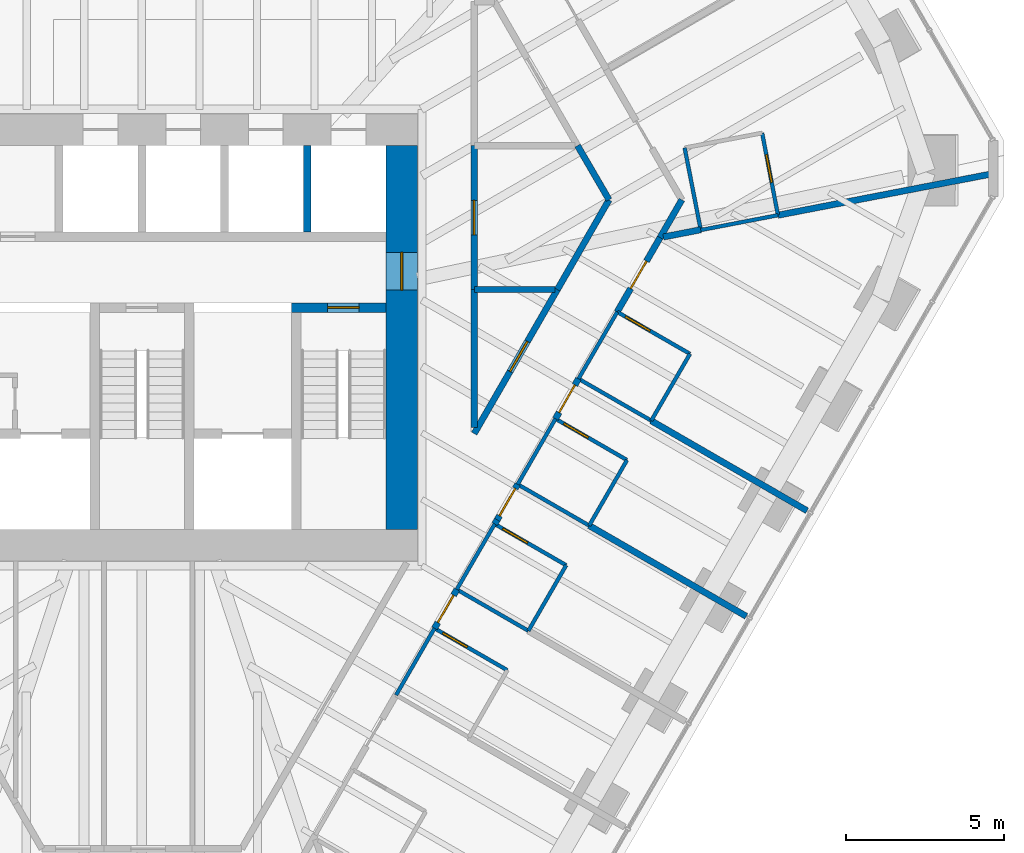
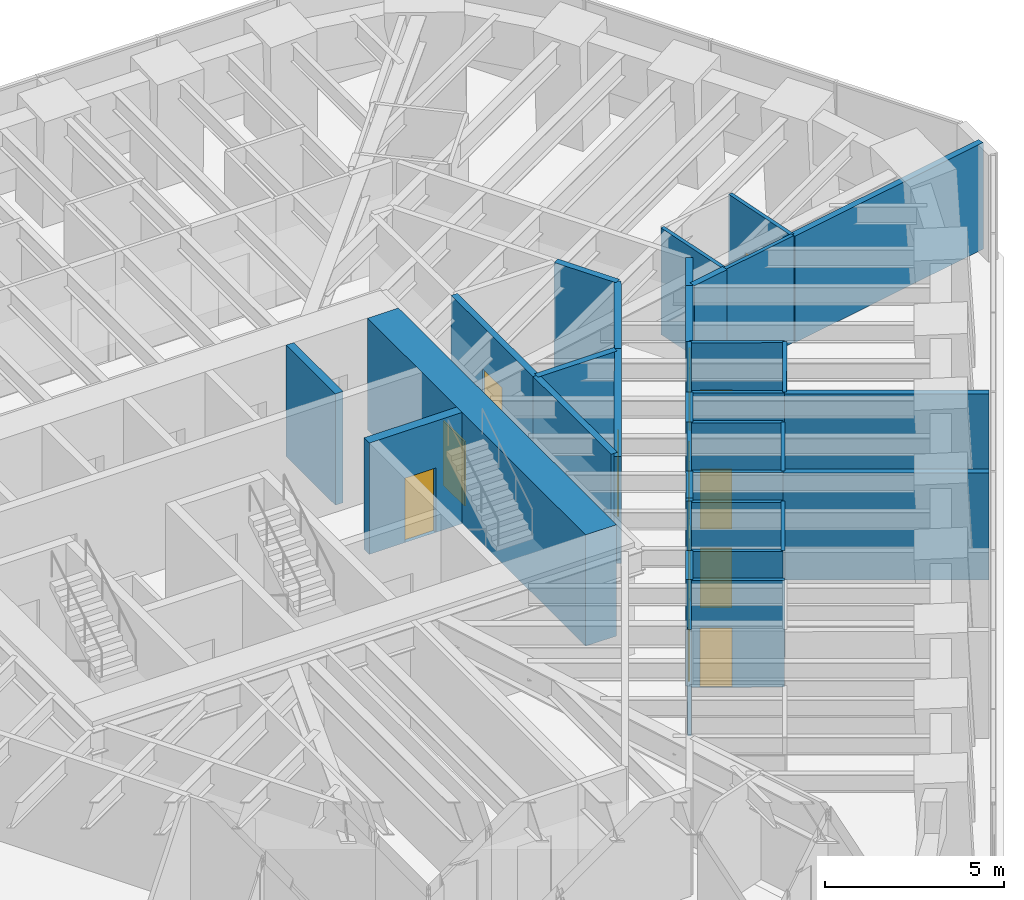
# One storey, part 13 of 17: 36 walls, 13 doors, 13 openings.
"""IFC4 building model written with IfcOpenShell, lengths in metres."""

from ifc_helpers import new_model, si_unit, direction, frame, frame_2d, origin, place, context, subcontext, project, spatial, rectangle, extrude, material, layer, layer_set, type_object, element, fill, save


model = new_model("IFC4")

# Units and contexts
model_context = context("Model", 3, precision=1e-05, world=origin(), true_north=direction((0.0, 1.0)))
body_context = subcontext(model_context, "Body", "Model", "MODEL_VIEW")
ifc_project = project(units=[si_unit("LENGTHUNIT", "METRE"), si_unit("AREAUNIT", "SQUARE_METRE"), si_unit("VOLUMEUNIT", "CUBIC_METRE"), si_unit("PLANEANGLEUNIT", "RADIAN"), si_unit("MASSUNIT", "GRAM", prefix="KILO")], contexts=[model_context])

# Site, building, storey
site_placement = place(None, origin())
site = spatial("IfcSite", under=ifc_project, at=site_placement, CompositionType="ELEMENT")
building_placement = place(site_placement, origin())
building = spatial("IfcBuilding", under=site, at=building_placement, Name="Sandreach Pilgrim Tower", CompositionType="ELEMENT")
storey_placement = place(building_placement, frame((0.0, 0.0, 232.60009765625)))
storey = spatial("IfcBuildingStorey", under=building, at=storey_placement, Name="L58", CompositionType="ELEMENT", Elevation=232.60009765625)

# Walls
ifc_material_1 = material(Name="Moisture-resistant gypsum board on steel studs", Category="steel")
ifc_layer_1 = layer(ifc_material_1, 0.1201171875)
ifc_layer_set_1 = layer_set([ifc_layer_1], Name="Bathroom partition 120")
wall_type_1 = type_object("IfcWallType", Name="Bathroom partition 120", PredefinedType="PARTITIONING", material=ifc_layer_set_1)
wall_1_placement = place(storey_placement, frame((8.070068359375, -11.35009765625, 0.0), z_axis=(0.0, 0.0, 1.0), x_axis=(0.498748634132, 0.866746675766, 0.0)))
element("IfcWall", 1, at=wall_1_placement, inside=storey, type_object=wall_type_1, Name="Bathroom partition L58-101", PredefinedType="PARTITIONING", context=body_context, shape_type="SweptSolid", body=[
    extrude(rectangle(XDim=2.446044921875, YDim=0.1201171875, at=frame_2d((1.22314453125, 0.0))), origin(), (0.0, 0.0, 1.0), 3.639892578125),
])
wall_2_placement = place(storey_placement, frame((9.996337890625, -7.998046875, 0.0), z_axis=(0.0, 0.0, 1.0), x_axis=(0.501188543314, 0.865338109672, 0.0)))
element("IfcWall", 2, at=wall_2_placement, inside=storey, type_object=wall_type_1, Name="Bathroom partition L58-108", PredefinedType="PARTITIONING", context=body_context, shape_type="SweptSolid", body=[
    extrude(rectangle(XDim=2.401611328125, YDim=0.1201171875, at=frame_2d((1.20068359375, 0.0))), origin(), (0.0, 0.0, 1.0), 3.639892578125),
])
wall_3_placement = place(storey_placement, frame((10.0, -8.0, 0.0), z_axis=(0.0, 0.0, 1.0), x_axis=(0.866010296064, -0.500026166427, 0.0)))
element("IfcWall", 3, at=wall_3_placement, inside=storey, type_object=wall_type_1, Name="Bathroom partition L58-109", PredefinedType="PARTITIONING", context=body_context, shape_type="SweptSolid", body=[
    extrude(rectangle(XDim=2.620849609375, YDim=0.1201171875, at=frame_2d((1.310546875, 0.0))), origin(), (0.0, 0.0, 1.0), 3.639892578125),
])

# Wall, opening, door
wall_4_placement = place(storey_placement, frame((11.60009765625, -10.56005859375, 0.0), z_axis=(0.0, 0.0, 1.0), x_axis=(-0.866615255992, 0.498976951453, 0.0)))
wall_4 = element("IfcWall", 4, at=wall_4_placement, inside=storey, type_object=wall_type_1, Name="Bathroom partition L58-125", PredefinedType="PARTITIONING", context=body_context, shape_type="SweptSolid", body=[
    extrude(rectangle(XDim=2.66552734375, YDim=0.1201171875, at=frame_2d((1.332763671875, 0.0))), origin(), (0.0, 0.0, 1.0), 3.639892578125),
])
opening_1_placement = place(wall_4_placement, frame((1.465576171875, 0.0, 0.0)))
opening_1 = element("IfcOpeningElement", 5, at=opening_1_placement, cuts=wall_4, Name="Opening D09-11B", PredefinedType="OPENING", context=body_context, shape_type="SweptSolid", body=[
    extrude(rectangle(XDim=0.89990234375, YDim=2.030029296875, at=frame_2d((0.449951171875, 1.01513671875))), frame((0.0, 0.06005859375, 0.0), z_axis=(0.0, -1.0, 0.0), x_axis=(1.0, 0.0, 0.0)), (0.0, 0.0, 1.0), 0.1201171875),
])
ifc_material_2 = material(Name="Timber door, steel frame", Category="steel")
door_type_1 = type_object("IfcDoorType", Name="Bathroom door", OperationType="SINGLE_SWING_LEFT", PredefinedType="DOOR", material=ifc_material_2)
door_1_placement = place(opening_1_placement, origin())
door_1 = element("IfcDoor", 6, at=door_1_placement, inside=storey, type_object=door_type_1, Name="Door 5811B", OperationType="SINGLE_SWING_RIGHT", OverallHeight=2.030029296875, OverallWidth=0.89990234375, PredefinedType="DOOR", context=body_context, shape_type="SweptSolid", body=[
    extrude(rectangle(XDim=0.89990234375, YDim=2.030029296875, at=frame_2d((0.449951171875, 1.01513671875))), frame((0.0, 0.02490234375, 0.0), z_axis=(0.0, -1.0, 0.0), x_axis=(1.0, 0.0, 0.0)), (0.0, 0.0, 1.0), 0.050048828125),
])
fill(opening_1, door_1)

# Walls
wall_5_placement = place(storey_placement, frame((11.929931640625, -4.659912109375, 0.0), z_axis=(0.0, 0.0, 1.0), x_axis=(0.499737123639, 0.866177122335, 0.0)))
element("IfcWall", 7, at=wall_5_placement, inside=storey, type_object=wall_type_1, Name="Bathroom partition L58-128", PredefinedType="PARTITIONING", context=body_context, shape_type="SweptSolid", body=[
    extrude(rectangle(XDim=2.401123046875, YDim=0.1201171875, at=frame_2d((1.20068359375, 0.0))), origin(), (0.0, 0.0, 1.0), 3.639892578125),
])
wall_6_placement = place(storey_placement, frame((11.929931640625, -4.659912109375, 0.0), z_axis=(0.0, 0.0, 1.0), x_axis=(0.865969958829, -0.500096021185, 0.0)))
element("IfcWall", 8, at=wall_6_placement, inside=storey, type_object=wall_type_1, Name="Bathroom partition L58-129", PredefinedType="PARTITIONING", context=body_context, shape_type="SweptSolid", body=[
    extrude(rectangle(XDim=2.62109375, YDim=0.1201171875, at=frame_2d((1.310546875, 0.0))), origin(), (0.0, 0.0, 1.0), 3.639892578125),
])
wall_7_placement = place(storey_placement, frame((12.27001953125, -9.31005859375, 0.0), z_axis=(0.0, 0.0, 1.0), x_axis=(0.499693115345, 0.866202511239, 0.0)))
element("IfcWall", 9, at=wall_7_placement, inside=storey, type_object=wall_type_1, Name="Bathroom partition L58-131", PredefinedType="PARTITIONING", context=body_context, shape_type="SweptSolid", body=[
    extrude(rectangle(XDim=2.4013671875, YDim=0.1201171875, at=frame_2d((1.20068359375, 0.0))), origin(), (0.0, 0.0, 1.0), 3.639892578125),
])

# Wall, opening, door
wall_8_placement = place(storey_placement, frame((13.469970703125, -7.22998046875, 0.0), z_axis=(0.0, 0.0, 1.0), x_axis=(-0.866114241029, 0.499846097802, 0.0)))
wall_8 = element("IfcWall", 10, at=wall_8_placement, inside=storey, type_object=wall_type_1, Name="Bathroom partition L58-136", PredefinedType="PARTITIONING", context=body_context, shape_type="SweptSolid", body=[
    extrude(rectangle(XDim=2.620849609375, YDim=0.1201171875, at=frame_2d((1.310546875, 0.0))), origin(), (0.0, 0.0, 1.0), 3.639892578125),
])
opening_2_placement = place(wall_8_placement, frame((1.4208984375, 0.0, 0.0)))
opening_2 = element("IfcOpeningElement", 11, at=opening_2_placement, cuts=wall_8, Name="Opening D09-10B", PredefinedType="OPENING", context=body_context, shape_type="SweptSolid", body=[
    extrude(rectangle(XDim=0.89990234375, YDim=2.030029296875, at=frame_2d((0.449951171875, 1.01513671875))), frame((0.0, 0.06005859375, 0.0), z_axis=(0.0, -1.0, 0.0), x_axis=(1.0, 0.0, 0.0)), (0.0, 0.0, 1.0), 0.1201171875),
])
door_2_placement = place(opening_2_placement, origin())
door_2 = element("IfcDoor", 12, at=door_2_placement, inside=storey, type_object=door_type_1, Name="Door 5810B", OperationType="SINGLE_SWING_RIGHT", OverallHeight=2.030029296875, OverallWidth=0.89990234375, PredefinedType="DOOR", context=body_context, shape_type="SweptSolid", body=[
    extrude(rectangle(XDim=0.89990234375, YDim=2.030029296875, at=frame_2d((0.449951171875, 1.01513671875))), frame((0.0, 0.02490234375, 0.0), z_axis=(0.0, -1.0, 0.0), x_axis=(1.0, 0.0, 0.0)), (0.0, 0.0, 1.0), 0.050048828125),
])
fill(opening_2, door_2)

# Walls
wall_9_placement = place(storey_placement, frame((13.860107421875, -1.31005859375, 0.0), z_axis=(0.0, 0.0, 1.0), x_axis=(0.501813488763, 0.864975850817, 0.0)))
element("IfcWall", 13, at=wall_9_placement, inside=storey, type_object=wall_type_1, Name="Bathroom partition L58-140", PredefinedType="PARTITIONING", context=body_context, shape_type="SweptSolid", body=[
    extrude(rectangle(XDim=2.451171875, YDim=0.1201171875, at=frame_2d((1.2255859375, 0.0))), origin(), (0.0, 0.0, 1.0), 3.639892578125),
])
wall_10_placement = place(storey_placement, frame((14.199951171875, -5.969970703125, 0.0), z_axis=(0.0, 0.0, 1.0), x_axis=(0.499737123639, 0.866177122335, 0.0)))
element("IfcWall", 14, at=wall_10_placement, inside=storey, type_object=wall_type_1, Name="Bathroom partition L58-142", PredefinedType="PARTITIONING", context=body_context, shape_type="SweptSolid", body=[
    extrude(rectangle(XDim=2.401123046875, YDim=0.1201171875, at=frame_2d((1.20068359375, 0.0))), origin(), (0.0, 0.0, 1.0), 3.639892578125),
])

# Wall, opening, door
wall_11_placement = place(storey_placement, frame((15.39990234375, -3.889892578125, 0.0), z_axis=(0.0, 0.0, 1.0), x_axis=(-0.866154567199, 0.49977621564, 0.0)))
wall_11 = element("IfcWall", 15, at=wall_11_placement, inside=storey, type_object=wall_type_1, Name="Bathroom partition L58-146", PredefinedType="PARTITIONING", context=body_context, shape_type="SweptSolid", body=[
    extrude(rectangle(XDim=2.620849609375, YDim=0.1201171875, at=frame_2d((1.310546875, 0.0))), origin(), (0.0, 0.0, 1.0), 3.639892578125),
])
opening_3_placement = place(wall_11_placement, frame((1.4208984375, 0.0, 0.0)))
opening_3 = element("IfcOpeningElement", 16, at=opening_3_placement, cuts=wall_11, Name="Opening D09-09B", PredefinedType="OPENING", context=body_context, shape_type="SweptSolid", body=[
    extrude(rectangle(XDim=0.89990234375, YDim=2.030029296875, at=frame_2d((0.449951171875, 1.01513671875))), frame((0.0, 0.06005859375, 0.0), z_axis=(0.0, -1.0, 0.0), x_axis=(1.0, 0.0, 0.0)), (0.0, 0.0, 1.0), 0.1201171875),
])
door_3_placement = place(opening_3_placement, origin())
door_3 = element("IfcDoor", 17, at=door_3_placement, inside=storey, type_object=door_type_1, Name="Door 5809B", OperationType="SINGLE_SWING_RIGHT", OverallHeight=2.030029296875, OverallWidth=0.89990234375, PredefinedType="DOOR", context=body_context, shape_type="SweptSolid", body=[
    extrude(rectangle(XDim=0.89990234375, YDim=2.030029296875, at=frame_2d((0.449951171875, 1.01513671875))), frame((0.0, 0.02490234375, 0.0), z_axis=(0.0, -1.0, 0.0), x_axis=(1.0, 0.0, 0.0)), (0.0, 0.0, 1.0), 0.050048828125),
])
fill(opening_3, door_3)

# Walls
wall_12_placement = place(storey_placement, frame((16.169921875, -2.639892578125, 0.0), z_axis=(0.0, 0.0, 1.0), x_axis=(-0.86663205897, 0.498947767172, 0.0)))
element("IfcWall", 18, at=wall_12_placement, inside=storey, type_object=wall_type_1, Name="Bathroom partition L58-148", PredefinedType="PARTITIONING", context=body_context, shape_type="SweptSolid", body=[
    extrude(rectangle(XDim=2.665283203125, YDim=0.1201171875, at=frame_2d((1.33251953125, 0.0))), origin(), (0.0, 0.0, 1.0), 3.639892578125),
])
wall_13_placement = place(storey_placement, frame((16.169921875, -2.639892578125, 0.0), z_axis=(0.0, 0.0, 1.0), x_axis=(0.501856726365, 0.86495076519, 0.0)))
element("IfcWall", 19, at=wall_13_placement, inside=storey, type_object=wall_type_1, Name="Bathroom partition L58-149", PredefinedType="PARTITIONING", context=body_context, shape_type="SweptSolid", body=[
    extrude(rectangle(XDim=2.450927734375, YDim=0.1201171875, at=frame_2d((1.2255859375, 0.0))), origin(), (0.0, 0.0, 1.0), 3.639892578125),
])
wall_14_placement = place(storey_placement, frame((17.22998046875, 6.02001953125, 0.0), z_axis=(0.0, 0.0, 1.0), x_axis=(0.192499717639, -0.981297028788, 0.0)))
element("IfcWall", 20, at=wall_14_placement, inside=storey, type_object=wall_type_1, Name="Bathroom partition L58-153", PredefinedType="PARTITIONING", context=body_context, shape_type="SweptSolid", body=[
    extrude(rectangle(XDim=2.6494140625, YDim=0.1201171875, at=frame_2d((1.32470703125, 0.0))), origin(), (0.0, 0.0, 1.0), 3.639892578125),
])

# Wall, opening, door
wall_15_placement = place(storey_placement, frame((17.39990234375, -0.52001953125, 0.0), z_axis=(0.0, 0.0, 1.0), x_axis=(-0.866592449628, 0.499016559092, 0.0)))
wall_15 = element("IfcWall", 21, at=wall_15_placement, inside=storey, type_object=wall_type_1, Name="Bathroom partition L58-154", PredefinedType="PARTITIONING", context=body_context, shape_type="SweptSolid", body=[
    extrude(rectangle(XDim=2.665283203125, YDim=0.1201171875, at=frame_2d((1.33251953125, 0.0))), origin(), (0.0, 0.0, 1.0), 3.639892578125),
])
opening_4_placement = place(wall_15_placement, frame((1.465576171875, 0.0, 0.0)))
opening_4 = element("IfcOpeningElement", 22, at=opening_4_placement, cuts=wall_15, Name="Opening D09-08B", PredefinedType="OPENING", context=body_context, shape_type="SweptSolid", body=[
    extrude(rectangle(XDim=0.89990234375, YDim=2.030029296875, at=frame_2d((0.449951171875, 1.01513671875))), frame((0.0, 0.06005859375, 0.0), z_axis=(0.0, -1.0, 0.0), x_axis=(1.0, 0.0, 0.0)), (0.0, 0.0, 1.0), 0.1201171875),
])
door_4_placement = place(opening_4_placement, origin())
door_4 = element("IfcDoor", 23, at=door_4_placement, inside=storey, type_object=door_type_1, Name="Door 5808B", OperationType="SINGLE_SWING_RIGHT", OverallHeight=2.030029296875, OverallWidth=0.89990234375, PredefinedType="DOOR", context=body_context, shape_type="SweptSolid", body=[
    extrude(rectangle(XDim=0.89990234375, YDim=2.030029296875, at=frame_2d((0.449951171875, 1.01513671875))), frame((0.0, 0.02490234375, 0.0), z_axis=(0.0, -1.0, 0.0), x_axis=(1.0, 0.0, 0.0)), (0.0, 0.0, 1.0), 0.050048828125),
])
fill(opening_4, door_4)

# Wall
wall_16_placement = place(storey_placement, frame((17.739990234375, 3.409912109375, 0.0), z_axis=(0.0, 0.0, 1.0), x_axis=(0.981991098912, 0.188927186128, 0.0)))
element("IfcWall", 24, at=wall_16_placement, inside=storey, type_object=wall_type_1, Name="Bathroom partition L58-155", PredefinedType="PARTITIONING", context=body_context, shape_type="SweptSolid", body=[
    extrude(rectangle(XDim=2.49658203125, YDim=0.1201171875, at=frame_2d((1.248291015625, 0.0))), origin(), (0.0, 0.0, 1.0), 3.639892578125),
])

# Wall, opening, door
wall_17_placement = place(storey_placement, frame((20.18994140625, 3.889892578125, 0.0), z_axis=(0.0, 0.0, 1.0), x_axis=(-0.188840553732, 0.982007762325, 0.0)))
wall_17 = element("IfcWall", 25, at=wall_17_placement, inside=storey, type_object=wall_type_1, Name="Bathroom partition L58-158", PredefinedType="PARTITIONING", context=body_context, shape_type="SweptSolid", body=[
    extrude(rectangle(XDim=2.647705078125, YDim=0.1201171875, at=frame_2d((1.32373046875, 0.0))), origin(), (0.0, 0.0, 1.0), 3.639892578125),
])
opening_5_placement = place(wall_17_placement, frame((1.050048828125, 0.0, 0.0)))
opening_5 = element("IfcOpeningElement", 26, at=opening_5_placement, cuts=wall_17, Name="Opening D09-07B", PredefinedType="OPENING", context=body_context, shape_type="SweptSolid", body=[
    extrude(rectangle(XDim=0.89990234375, YDim=2.030029296875, at=frame_2d((0.449951171875, 1.01513671875))), frame((0.0, 0.06005859375, 0.0), z_axis=(0.0, -1.0, 0.0), x_axis=(1.0, 0.0, 0.0)), (0.0, 0.0, 1.0), 0.1201171875),
])
door_5_placement = place(opening_5_placement, origin())
door_5 = element("IfcDoor", 27, at=door_5_placement, inside=storey, type_object=door_type_1, Name="Door 5807B", OperationType="SINGLE_SWING_RIGHT", OverallHeight=2.030029296875, OverallWidth=0.89990234375, PredefinedType="DOOR", context=body_context, shape_type="SweptSolid", body=[
    extrude(rectangle(XDim=0.89990234375, YDim=2.030029296875, at=frame_2d((0.449951171875, 1.01513671875))), frame((0.0, 0.02490234375, 0.0), z_axis=(0.0, -1.0, 0.0), x_axis=(1.0, 0.0, 0.0)), (0.0, 0.0, 1.0), 0.050048828125),
])
fill(opening_5, door_5)

ifc_material_3 = material(Name="Concrete 10000 psi", Category="concrete")
ifc_layer_2 = layer(ifc_material_3, 0.300048828125)
ifc_layer_set_2 = layer_set([ifc_layer_2], Name="Core inner wall 300")
wall_type_2 = type_object("IfcWallType", Name="Core inner wall 300", PredefinedType="SHEAR", material=ifc_layer_set_2)
wall_18_placement = place(storey_placement, frame((4.75, 0.949951171875, 0.0), z_axis=(0.0, 0.0, 1.0), x_axis=(1.0, 0.0, 0.0)))
wall_18 = element("IfcWall", 28, at=wall_18_placement, inside=storey, type_object=wall_type_2, Name="Core wall SN2 L58", PredefinedType="SHEAR", context=body_context, shape_type="SweptSolid", body=[
    extrude(rectangle(XDim=3.0, YDim=0.300048828125, at=frame_2d((1.5, 0.0))), origin(), (0.0, 0.0, 1.0), 3.7998046875),
])
opening_6_placement = place(wall_18_placement, frame((1.14990234375, 0.0, 0.0)))
opening_6 = element("IfcOpeningElement", 29, at=opening_6_placement, cuts=wall_18, Name="Opening D10S-ST2", PredefinedType="OPENING", context=body_context, shape_type="SweptSolid", body=[
    extrude(rectangle(XDim=1.0, YDim=2.199951171875, at=frame_2d((0.5, 1.10009765625))), frame((0.0, 0.14990234375, 0.0), z_axis=(0.0, -1.0, 0.0), x_axis=(1.0, 0.0, 0.0)), (0.0, 0.0, 1.0), 0.300048828125),
])
ifc_material_4 = material(Name="Steel door and frame", Category="steel")
door_type_2 = type_object("IfcDoorType", Name="Stair door", OperationType="SINGLE_SWING_LEFT", PredefinedType="DOOR", material=ifc_material_4)
door_6_placement = place(opening_6_placement, origin())
door_6 = element("IfcDoor", 30, at=door_6_placement, inside=storey, type_object=door_type_2, Name="Stair door ST2 L58", OperationType="SINGLE_SWING_RIGHT", OverallHeight=2.199951171875, OverallWidth=1.0, PredefinedType="DOOR", context=body_context, shape_type="SweptSolid", body=[
    extrude(rectangle(XDim=1.0, YDim=2.199951171875, at=frame_2d((0.5, 1.10009765625))), frame((0.0, 0.02490234375, 0.0), z_axis=(0.0, -1.0, 0.0), x_axis=(1.0, 0.0, 0.0)), (0.0, 0.0, 1.0), 0.050048828125),
])
fill(opening_6, door_6)

ifc_material_5 = material(Name="Concrete 10000 psi", Category="concrete")
ifc_layer_3 = layer(ifc_material_5, 1.0)
ifc_layer_set_3 = layer_set([ifc_layer_3], Name="Core wall 1000")
wall_type_3 = type_object("IfcWallType", Name="Core wall 1000", PredefinedType="SHEAR", material=ifc_layer_set_3)
wall_19_placement = place(storey_placement, frame((8.25, -6.10009765625, 0.0), z_axis=(0.0, 0.0, 1.0), x_axis=(0.0, 1.0, 0.0)))
wall_19 = element("IfcWall", 31, at=wall_19_placement, inside=storey, type_object=wall_type_3, Name="Core wall E L58", PredefinedType="SHEAR", context=body_context, shape_type="SweptSolid", body=[
    extrude(rectangle(XDim=12.2001953125, YDim=1.0, at=frame_2d((6.10009765625, 0.0))), origin(), (0.0, 0.0, 1.0), 3.7998046875),
])
opening_7_placement = place(wall_19_placement, frame((7.60009765625, 0.0, 0.0)))
opening_7 = element("IfcOpeningElement", 32, at=opening_7_placement, cuts=wall_19, Name="Opening D12F-E", PredefinedType="OPENING", context=body_context, shape_type="SweptSolid", body=[
    extrude(rectangle(XDim=1.199951171875, YDim=2.199951171875, at=frame_2d((0.60009765625, 1.10009765625))), frame((0.0, 0.5, 0.0), z_axis=(0.0, -1.0, 0.0), x_axis=(1.0, 0.0, 0.0)), (0.0, 0.0, 1.0), 1.0),
])
ifc_material_6 = material(Name="Steel door and frame", Category="steel")
door_type_3 = type_object("IfcDoorType", Name="Fire lobby door", OperationType="SINGLE_SWING_LEFT", PredefinedType="DOOR", material=ifc_material_6)
door_7_placement = place(opening_7_placement, origin())
door_7 = element("IfcDoor", 33, at=door_7_placement, inside=storey, type_object=door_type_3, Name="Fire service lobby door E L58", OperationType="SINGLE_SWING_RIGHT", OverallHeight=2.199951171875, OverallWidth=1.199951171875, PredefinedType="DOOR", context=body_context, shape_type="SweptSolid", body=[
    extrude(rectangle(XDim=1.199951171875, YDim=2.199951171875, at=frame_2d((0.60009765625, 1.10009765625))), frame((0.0, 0.02490234375, 0.0), z_axis=(0.0, -1.0, 0.0), x_axis=(1.0, 0.0, 0.0)), (0.0, 0.0, 1.0), 0.050048828125),
])
fill(opening_7, door_7)

ifc_material_7 = material(Name="Gypsum board on steel studs, two layers each side", Category="steel")
ifc_layer_4 = layer(ifc_material_7, 0.199951171875)
ifc_layer_set_4 = layer_set([ifc_layer_4], Name="Corridor wall 200")
wall_type_4 = type_object("IfcWallType", Name="Corridor wall 200", PredefinedType="PARTITIONING", material=ifc_layer_set_4)
wall_20_placement = place(storey_placement, frame((9.2900390625, -9.22998046875, 0.0), z_axis=(0.0, 0.0, 1.0), x_axis=(0.499910949922, 0.866076810767, 0.0)))
wall_20 = element("IfcWall", 34, at=wall_20_placement, inside=storey, type_object=wall_type_4, Name="Corridor wall L58-107", PredefinedType="PARTITIONING", context=body_context, shape_type="SweptSolid", body=[
    extrude(rectangle(XDim=1.420166015625, YDim=0.199951171875, at=frame_2d((0.7099609375, 0.0))), origin(), (0.0, 0.0, 1.0), 3.639892578125),
])
opening_8_placement = place(wall_20_placement, frame((0.210205078125, 0.0, 0.0)))
opening_8 = element("IfcOpeningElement", 35, at=opening_8_placement, cuts=wall_20, Name="Opening D10-11", PredefinedType="OPENING", context=body_context, shape_type="SweptSolid", body=[
    extrude(rectangle(XDim=1.0, YDim=2.1298828125, at=frame_2d((0.5, 1.06494140625))), frame((0.0, 0.10009765625, 0.0), z_axis=(0.0, -1.0, 0.0), x_axis=(1.0, 0.0, 0.0)), (0.0, 0.0, 1.0), 0.199951171875),
])
ifc_material_8 = material(Name="Steel door and frame", Category="steel")
door_type_4 = type_object("IfcDoorType", Name="Guest room entry door", OperationType="SINGLE_SWING_LEFT", PredefinedType="DOOR", material=ifc_material_8)
door_8_placement = place(opening_8_placement, origin())
door_8 = element("IfcDoor", 36, at=door_8_placement, inside=storey, type_object=door_type_4, Name="Door 5811", OperationType="SINGLE_SWING_LEFT", OverallHeight=2.1298828125, OverallWidth=1.0, PredefinedType="DOOR", context=body_context, shape_type="SweptSolid", body=[
    extrude(rectangle(XDim=1.0, YDim=2.1298828125, at=frame_2d((0.5, 1.06494140625))), frame((0.0, 0.02490234375, 0.0), z_axis=(0.0, -1.0, 0.0), x_axis=(1.0, 0.0, 0.0)), (0.0, 0.0, 1.0), 0.050048828125),
])
fill(opening_8, door_8)

# Wall
wall_21_placement = place(storey_placement, frame((10.550048828125, -2.85498046875, 0.0), z_axis=(0.0, 0.0, 1.0), x_axis=(0.0, 1.0, 0.0)))
element("IfcWall", 37, at=wall_21_placement, inside=storey, type_object=wall_type_4, Name="Corridor wall L58-112", PredefinedType="PARTITIONING", context=body_context, shape_type="SweptSolid", body=[
    extrude(rectangle(XDim=4.375, YDim=0.199951171875, at=frame_2d((2.1875, 0.0))), origin(), (0.0, 0.0, 1.0), 3.639892578125),
])

# Wall, opening, door
wall_22_placement = place(storey_placement, frame((10.550048828125, 1.52001953125, 0.0), z_axis=(0.0, 0.0, 1.0), x_axis=(0.0, 1.0, 0.0)))
wall_22 = element("IfcWall", 38, at=wall_22_placement, inside=storey, type_object=wall_type_4, Name="Corridor wall L58-113", PredefinedType="PARTITIONING", context=body_context, shape_type="SweptSolid", body=[
    extrude(rectangle(XDim=4.570068359375, YDim=0.199951171875, at=frame_2d((2.28515625, 0.0))), origin(), (0.0, 0.0, 1.0), 3.639892578125),
])
opening_9_placement = place(wall_22_placement, frame((1.735107421875, 0.0, 0.0)))
opening_9 = element("IfcOpeningElement", 39, at=opening_9_placement, cuts=wall_22, Name="Opening D11H-M06", PredefinedType="OPENING", context=body_context, shape_type="SweptSolid", body=[
    extrude(rectangle(XDim=1.10009765625, YDim=2.199951171875, at=frame_2d((0.550048828125, 1.10009765625))), frame((0.0, 0.10009765625, 0.0), z_axis=(0.0, -1.0, 0.0), x_axis=(1.0, 0.0, 0.0)), (0.0, 0.0, 1.0), 0.199951171875),
])
ifc_material_9 = material(Name="Steel door and frame", Category="steel")
door_type_5 = type_object("IfcDoorType", Name="Back of house door", OperationType="SINGLE_SWING_LEFT", PredefinedType="DOOR", material=ifc_material_9)
door_9_placement = place(opening_9_placement, origin())
door_9 = element("IfcDoor", 40, at=door_9_placement, inside=storey, type_object=door_type_5, Name="Door 58M06", OperationType="SINGLE_SWING_LEFT", OverallHeight=2.199951171875, OverallWidth=1.10009765625, PredefinedType="DOOR", context=body_context, shape_type="SweptSolid", body=[
    extrude(rectangle(XDim=1.10009765625, YDim=2.199951171875, at=frame_2d((0.550048828125, 1.10009765625))), frame((0.0, 0.02490234375, 0.0), z_axis=(0.0, -1.0, 0.0), x_axis=(1.0, 0.0, 0.0)), (0.0, 0.0, 1.0), 0.050048828125),
])
fill(opening_9, door_9)

# Wall
wall_23_placement = place(storey_placement, frame((11.199951171875, -5.919921875, 0.0), z_axis=(0.0, 0.0, 1.0), x_axis=(0.524811420021, 0.851218522717, 0.0)))
element("IfcWall", 41, at=wall_23_placement, inside=storey, type_object=wall_type_4, Name="Corridor wall L58-123", PredefinedType="PARTITIONING", context=body_context, shape_type="SweptSolid", body=[
    extrude(rectangle(XDim=0.152587890625, YDim=0.199951171875, at=frame_2d((0.076171875, 0.0))), origin(), (0.0, 0.0, 1.0), 3.639892578125),
])

# Wall, opening, door
wall_24_placement = place(storey_placement, frame((11.280029296875, -5.7900390625, 0.0), z_axis=(0.0, 0.0, 1.0), x_axis=(0.498516863914, 0.866880001149, 0.0)))
wall_24 = element("IfcWall", 42, at=wall_24_placement, inside=storey, type_object=wall_type_4, Name="Corridor wall L58-124", PredefinedType="PARTITIONING", context=body_context, shape_type="SweptSolid", body=[
    extrude(rectangle(XDim=1.3037109375, YDim=0.199951171875, at=frame_2d((0.65185546875, 0.0))), origin(), (0.0, 0.0, 1.0), 3.639892578125),
])
opening_10_placement = place(wall_24_placement, frame((0.15185546875, 0.0, 0.0)))
opening_10 = element("IfcOpeningElement", 43, at=opening_10_placement, cuts=wall_24, Name="Opening D10-10", PredefinedType="OPENING", context=body_context, shape_type="SweptSolid", body=[
    extrude(rectangle(XDim=1.0, YDim=2.1298828125, at=frame_2d((0.5, 1.06494140625))), frame((0.0, 0.10009765625, 0.0), z_axis=(0.0, -1.0, 0.0), x_axis=(1.0, 0.0, 0.0)), (0.0, 0.0, 1.0), 0.199951171875),
])
door_10_placement = place(opening_10_placement, origin())
door_10 = element("IfcDoor", 44, at=door_10_placement, inside=storey, type_object=door_type_4, Name="Door 5810", OperationType="SINGLE_SWING_LEFT", OverallHeight=2.1298828125, OverallWidth=1.0, PredefinedType="DOOR", context=body_context, shape_type="SweptSolid", body=[
    extrude(rectangle(XDim=1.0, YDim=2.1298828125, at=frame_2d((0.5, 1.06494140625))), frame((0.0, 0.02490234375, 0.0), z_axis=(0.0, -1.0, 0.0), x_axis=(1.0, 0.0, 0.0)), (0.0, 0.0, 1.0), 0.050048828125),
])
fill(opening_10, door_10)

wall_25_placement = place(storey_placement, frame((13.129638671875, -2.579833984375, 0.0), z_axis=(0.0, 0.0, 1.0), x_axis=(0.498649595136, 0.866803657855, 0.0)))
wall_25 = element("IfcWall", 45, at=wall_25_placement, inside=storey, type_object=wall_type_4, Name="Corridor wall L58-134", PredefinedType="PARTITIONING", context=body_context, shape_type="SweptSolid", body=[
    extrude(rectangle(XDim=1.46484375, YDim=0.199951171875, at=frame_2d((0.732421875, 0.0))), origin(), (0.0, 0.0, 1.0), 3.639892578125),
])
opening_11_placement = place(wall_25_placement, frame((0.232421875, 0.0, 0.0)))
opening_11 = element("IfcOpeningElement", 46, at=opening_11_placement, cuts=wall_25, Name="Opening D10-09", PredefinedType="OPENING", context=body_context, shape_type="SweptSolid", body=[
    extrude(rectangle(XDim=1.0, YDim=2.1298828125, at=frame_2d((0.5, 1.06494140625))), frame((0.0, 0.10009765625, 0.0), z_axis=(0.0, -1.0, 0.0), x_axis=(1.0, 0.0, 0.0)), (0.0, 0.0, 1.0), 0.199951171875),
])
door_11_placement = place(opening_11_placement, origin())
door_11 = element("IfcDoor", 47, at=door_11_placement, inside=storey, type_object=door_type_4, Name="Door 5809", OperationType="SINGLE_SWING_LEFT", OverallHeight=2.1298828125, OverallWidth=1.0, PredefinedType="DOOR", context=body_context, shape_type="SweptSolid", body=[
    extrude(rectangle(XDim=1.0, YDim=2.1298828125, at=frame_2d((0.5, 1.06494140625))), frame((0.0, 0.02490234375, 0.0), z_axis=(0.0, -1.0, 0.0), x_axis=(1.0, 0.0, 0.0)), (0.0, 0.0, 1.0), 0.050048828125),
])
fill(opening_11, door_11)

wall_26_placement = place(storey_placement, frame((13.18994140625, 1.52001953125, 0.0), z_axis=(0.0, 0.0, 1.0), x_axis=(-0.500193590286, -0.865913605527, 0.0)))
wall_26 = element("IfcWall", 48, at=wall_26_placement, inside=storey, type_object=wall_type_4, Name="Corridor wall L58-135", PredefinedType="PARTITIONING", context=body_context, shape_type="SweptSolid", body=[
    extrude(rectangle(XDim=5.27783203125, YDim=0.199951171875, at=frame_2d((2.638916015625, 0.0))), origin(), (0.0, 0.0, 1.0), 3.639892578125),
])
opening_12_placement = place(wall_26_placement, frame((1.89990234375, 0.0, 0.0)))
opening_12 = element("IfcOpeningElement", 49, at=opening_12_placement, cuts=wall_26, Name="Opening D11H-M04", PredefinedType="OPENING", context=body_context, shape_type="SweptSolid", body=[
    extrude(rectangle(XDim=1.10009765625, YDim=2.199951171875, at=frame_2d((0.550048828125, 1.10009765625))), frame((0.0, 0.10009765625, 0.0), z_axis=(0.0, -1.0, 0.0), x_axis=(1.0, 0.0, 0.0)), (0.0, 0.0, 1.0), 0.199951171875),
])
door_12_placement = place(opening_12_placement, origin())
door_12 = element("IfcDoor", 50, at=door_12_placement, inside=storey, type_object=door_type_5, Name="Door 58M04", OperationType="SINGLE_SWING_LEFT", OverallHeight=2.199951171875, OverallWidth=1.10009765625, PredefinedType="DOOR", context=body_context, shape_type="SweptSolid", body=[
    extrude(rectangle(XDim=1.10009765625, YDim=2.199951171875, at=frame_2d((0.550048828125, 1.10009765625))), frame((0.0, 0.02490234375, 0.0), z_axis=(0.0, -1.0, 0.0), x_axis=(1.0, 0.0, 0.0)), (0.0, 0.0, 1.0), 0.050048828125),
])
fill(opening_12, door_12)

# Walls
wall_27_placement = place(storey_placement, frame((13.830078125, 6.090087890625, 0.0), z_axis=(0.0, 0.0, 1.0), x_axis=(0.502573539539, -0.864534462792, 0.0)))
element("IfcWall", 51, at=wall_27_placement, inside=storey, type_object=wall_type_4, Name="Corridor wall L58-139", PredefinedType="PARTITIONING", context=body_context, shape_type="SweptSolid", body=[
    extrude(rectangle(XDim=1.98974609375, YDim=0.199951171875, at=frame_2d((0.994873046875, 0.0))), origin(), (0.0, 0.0, 1.0), 3.639892578125),
])
wall_28_placement = place(storey_placement, frame((14.830078125, 4.3701171875, 0.0), z_axis=(0.0, 0.0, 1.0), x_axis=(-0.498775186059, -0.866731396554, 0.0)))
element("IfcWall", 52, at=wall_28_placement, inside=storey, type_object=wall_type_4, Name="Corridor wall L58-143", PredefinedType="PARTITIONING", context=body_context, shape_type="SweptSolid", body=[
    extrude(rectangle(XDim=3.288330078125, YDim=0.199951171875, at=frame_2d((1.64404296875, 0.0))), origin(), (0.0, 0.0, 1.0), 3.639892578125),
])

# Wall, opening, door
wall_29_placement = place(storey_placement, frame((15.087646484375, 0.811279296875, 0.0), z_axis=(0.0, 0.0, 1.0), x_axis=(0.500149166734, 0.8659392652, 0.0)))
wall_29 = element("IfcWall", 53, at=wall_29_placement, inside=storey, type_object=wall_type_4, Name="Corridor wall L58-144", PredefinedType="PARTITIONING", context=body_context, shape_type="SweptSolid", body=[
    extrude(rectangle(XDim=2.723876953125, YDim=0.199951171875, at=frame_2d((1.36181640625, 0.0))), origin(), (0.0, 0.0, 1.0), 3.639892578125),
])
opening_13_placement = place(wall_29_placement, frame((0.86181640625, 0.0, 0.0)))
opening_13 = element("IfcOpeningElement", 54, at=opening_13_placement, cuts=wall_29, Name="Opening D10-08", PredefinedType="OPENING", context=body_context, shape_type="SweptSolid", body=[
    extrude(rectangle(XDim=1.0, YDim=2.1298828125, at=frame_2d((0.5, 1.06494140625))), frame((0.0, 0.10009765625, 0.0), z_axis=(0.0, -1.0, 0.0), x_axis=(1.0, 0.0, 0.0)), (0.0, 0.0, 1.0), 0.199951171875),
])
door_13_placement = place(opening_13_placement, origin())
door_13 = element("IfcDoor", 55, at=door_13_placement, inside=storey, type_object=door_type_4, Name="Door 5808", OperationType="SINGLE_SWING_LEFT", OverallHeight=2.1298828125, OverallWidth=1.0, PredefinedType="DOOR", context=body_context, shape_type="SweptSolid", body=[
    extrude(rectangle(XDim=1.0, YDim=2.1298828125, at=frame_2d((0.5, 1.06494140625))), frame((0.0, 0.02490234375, 0.0), z_axis=(0.0, -1.0, 0.0), x_axis=(1.0, 0.0, 0.0)), (0.0, 0.0, 1.0), 0.050048828125),
])
fill(opening_13, door_13)

# Walls
wall_30_placement = place(storey_placement, frame((16.449951171875, 3.169921875, 0.0), z_axis=(0.0, 0.0, 1.0), x_axis=(0.49845455473, 0.866915830325, 0.0)))
element("IfcWall", 56, at=wall_30_placement, inside=storey, type_object=wall_type_4, Name="Corridor wall L58-150", PredefinedType="PARTITIONING", context=body_context, shape_type="SweptSolid", body=[
    extrude(rectangle(XDim=1.38427734375, YDim=0.199951171875, at=frame_2d((0.692138671875, 0.0))), origin(), (0.0, 0.0, 1.0), 3.639892578125),
])
ifc_material_10 = material(Name="Double steel stud acoustic wall, gypsum board", Category="steel")
ifc_layer_5 = layer(ifc_material_10, 0.199951171875)
ifc_layer_set_5 = layer_set([ifc_layer_5], Name="Party wall 200")
wall_type_5 = type_object("IfcWallType", Name="Party wall 200", PredefinedType="PARTITIONING", material=ifc_layer_set_5)
wall_31_placement = place(storey_placement, frame((10.56005859375, 1.52001953125, 0.0), z_axis=(0.0, 0.0, 1.0), x_axis=(1.0, 0.0, 0.0)))
element("IfcWall", 57, at=wall_31_placement, inside=storey, type_object=wall_type_5, Name="Party wall L58-115", PredefinedType="PARTITIONING", context=body_context, shape_type="SweptSolid", body=[
    extrude(rectangle(XDim=2.550048828125, YDim=0.199951171875, at=frame_2d((1.27490234375, 0.0))), origin(), (0.0, 0.0, 1.0), 3.639892578125),
])
wall_32_placement = place(storey_placement, frame((14.19970703125, -5.970703125, 0.0), z_axis=(0.0, 0.0, 1.0), x_axis=(0.86600340545, -0.500038100297, 0.0)))
element("IfcWall", 58, at=wall_32_placement, inside=storey, type_object=wall_type_5, Name="Party wall L58-141", PredefinedType="PARTITIONING", context=body_context, shape_type="SweptSolid", body=[
    extrude(rectangle(XDim=5.7578125, YDim=0.199951171875, at=frame_2d((2.87890625, 0.0))), origin(), (0.0, 0.0, 1.0), 3.639892578125),
])
wall_33_placement = place(storey_placement, frame((16.168212890625, -2.642822265625, 0.0), z_axis=(0.0, 0.0, 1.0), x_axis=(0.865980633471, -0.500077536441, 0.0)))
element("IfcWall", 59, at=wall_33_placement, inside=storey, type_object=wall_type_5, Name="Party wall L58-147", PredefinedType="PARTITIONING", context=body_context, shape_type="SweptSolid", body=[
    extrude(rectangle(XDim=5.71337890625, YDim=0.199951171875, at=frame_2d((2.856689453125, 0.0))), origin(), (0.0, 0.0, 1.0), 3.639892578125),
])
wall_34_placement = place(storey_placement, frame((16.552978515625, 3.18994140625, 0.0), z_axis=(0.0, 0.0, 1.0), x_axis=(0.981743377248, 0.19021025532, 0.0)))
element("IfcWall", 60, at=wall_34_placement, inside=storey, type_object=wall_type_5, Name="Party wall L58-151", PredefinedType="PARTITIONING", context=body_context, shape_type="SweptSolid", body=[
    extrude(rectangle(XDim=1.208984375, YDim=0.199951171875, at=frame_2d((0.6044921875, 0.0))), origin(), (0.0, 0.0, 1.0), 3.639892578125),
])
wall_35_placement = place(storey_placement, frame((20.191650390625, 3.881591796875, 0.0), z_axis=(0.0, 0.0, 1.0), x_axis=(0.981855599951, 0.189630115871, 0.0)))
element("IfcWall", 61, at=wall_35_placement, inside=storey, type_object=wall_type_5, Name="Party wall L58-159", PredefinedType="PARTITIONING", context=body_context, shape_type="SweptSolid", body=[
    extrude(rectangle(XDim=6.975341796875, YDim=0.199951171875, at=frame_2d((3.48779296875, 0.0))), origin(), (0.0, 0.0, 1.0), 3.639892578125),
])
ifc_material_11 = material(Name="Gypsum shaft wall on steel studs, two layers of shaft liner board", Category="steel")
ifc_layer_6 = layer(ifc_material_11, 0.25)
ifc_layer_set_6 = layer_set([ifc_layer_6], Name="Shaft partition 250")
wall_type_6 = type_object("IfcWallType", Name="Shaft partition 250", PredefinedType="PARTITIONING", material=ifc_layer_set_6)
wall_36_placement = place(storey_placement, frame((5.25, 3.35009765625, 0.0), z_axis=(0.0, 0.0, 1.0), x_axis=(0.0, 1.0, 0.0)))
element("IfcWall", 62, at=wall_36_placement, inside=storey, type_object=wall_type_6, Name="Shaft partition NS4 L58", PredefinedType="PARTITIONING", context=body_context, shape_type="SweptSolid", body=[
    extrude(rectangle(XDim=2.75, YDim=0.25, at=frame_2d((1.375, 0.0))), origin(), (0.0, 0.0, 1.0), 3.7998046875),
])

save(model, "model.ifc")
